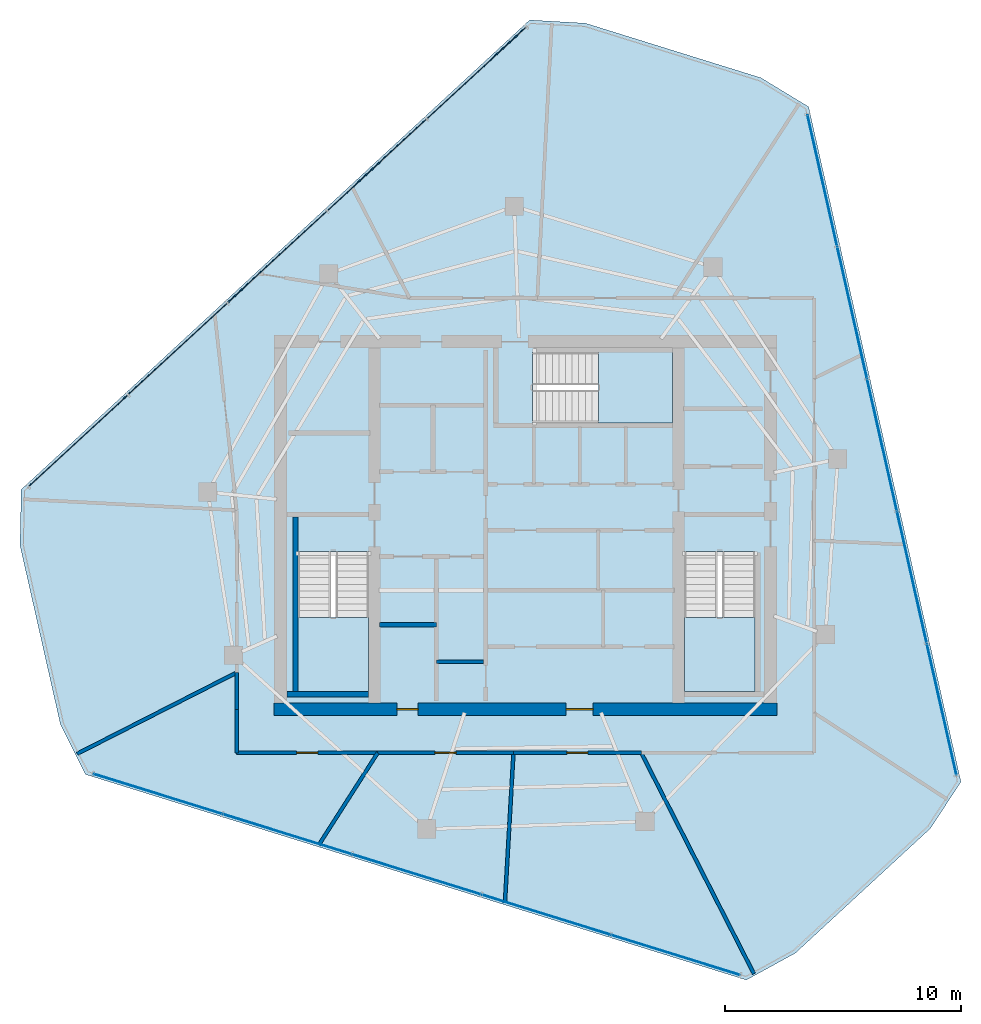
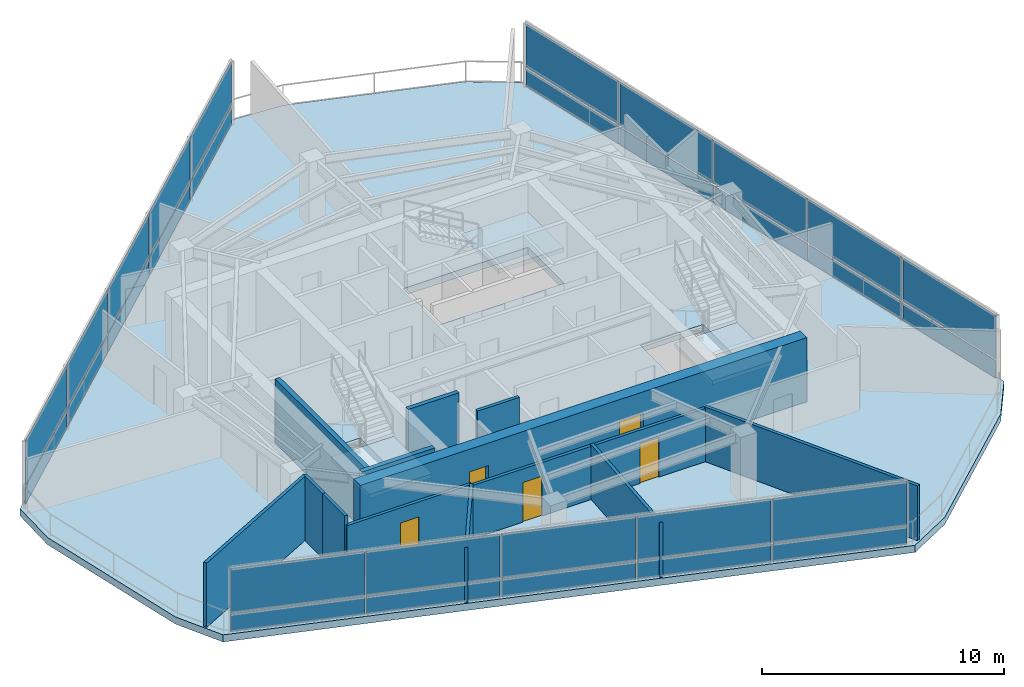
# One storey, part 13 of 19: 30 plates, 14 walls, 5 doors, 4 slabs, 5 openings, 6 elements without a shape of their own.
"""IFC4 building model written with IfcOpenShell, lengths in metres."""

import ifcopenshell
import ifcopenshell.guid

model = None  # the IFC model being written
_history = None  # IfcOwnerHistory: only IFC2X3 demands one
_inside = {}  # id of a spatial element -> (the spatial element, [elements in it])
_under = {}  # id of a project, library or spatial element -> (it, [spatial elements below it])
_declared = {}  # id of a project -> (the project, [libraries it declares])
_typed = {}  # id of a type object -> (the type object, [elements of that type])
_made_of = {}  # id of a material, layer set ... -> (it, [elements and type objects made of it])


def new_model(schema):
    """Start an empty IFC model of exactly this schema.

    Asked for "IFC4X3", IfcOpenShell would pick the latest addendum, in which some entities
    have other attributes; the version numbers below select the first issue.
    IFC2X3 requires an IfcOwnerHistory on every rooted entity: one is made here for all.
    """
    global model, _history
    if schema == "IFC4X3":
        model = ifcopenshell.file(schema_version=(4, 3, 0, 0))
    else:
        model = ifcopenshell.file(schema=schema)
    _inside.clear()
    _under.clear()
    _declared.clear()
    _typed.clear()
    _made_of.clear()
    _history = None
    if model.schema == "IFC2X3":
        org = make("IfcOrganization", Name="unknown")
        user = make(
            "IfcPersonAndOrganization",
            ThePerson=make("IfcPerson", FamilyName="unknown"),
            TheOrganization=org,
        )
        app = make(
            "IfcApplication",
            ApplicationDeveloper=org,
            Version="unknown",
            ApplicationFullName="unknown",
            ApplicationIdentifier="unknown",
        )
        _history = make(
            "IfcOwnerHistory",
            OwningUser=user,
            OwningApplication=app,
            ChangeAction="ADDED",
            CreationDate=0,
        )
    return model


def make(cls, **values):
    """One entity of the class cls with the attributes given. An attribute that is None is left unset."""
    return model.create_entity(
        cls, **{name: value for name, value in values.items() if value is not None}
    )


def rooted(cls, **values):
    """An entity with a GlobalId (a new one), such as an element, a storey or a relation."""
    return make(cls, GlobalId=ifcopenshell.guid.new(), OwnerHistory=_history, **values)


def si_unit(unit_type, name, prefix=None):
    """IfcSIUnit, for example si_unit("LENGTHUNIT", "METRE", prefix="MILLI")."""
    return make("IfcSIUnit", UnitType=unit_type, Prefix=prefix, Name=name)


def assignment(units):
    """IfcUnitAssignment: the units of a project."""
    return None if units is None else make("IfcUnitAssignment", Units=units)


def point(xyz):
    """IfcCartesianPoint."""
    return None if xyz is None else make("IfcCartesianPoint", Coordinates=xyz)


def direction(xyz):
    """IfcDirection."""
    return None if xyz is None else make("IfcDirection", DirectionRatios=xyz)


def frame(location, z_axis=None, x_axis=None):
    """IfcAxis2Placement3D, a coordinate frame: its origin and axes. An axis left out is left unset."""
    return make(
        "IfcAxis2Placement3D",
        Location=point(location),
        Axis=direction(z_axis),
        RefDirection=direction(x_axis),
    )


def frame_2d(location, x_axis=None):
    """IfcAxis2Placement2D, a coordinate frame in the plane: its origin and x axis."""
    return make(
        "IfcAxis2Placement2D", Location=point(location), RefDirection=direction(x_axis)
    )


def origin():
    """The frame at (0, 0, 0) with its axes left unset."""
    return frame((0.0, 0.0, 0.0))


def origin_2d():
    """The frame at (0, 0) in the plane with its x axis left unset."""
    return frame_2d((0.0, 0.0))


def place(relative_to, where):
    """IfcLocalPlacement: puts the frame where relative to a parent placement (None: the world)."""
    return make(
        "IfcLocalPlacement", PlacementRelTo=relative_to, RelativePlacement=where
    )


def context(
    kind, dimensions, precision=None, world=None, true_north=None, identifier=None
):
    """IfcGeometricRepresentationContext, for example the 3D "Model" context."""
    return make(
        "IfcGeometricRepresentationContext",
        ContextIdentifier=identifier,
        ContextType=kind,
        CoordinateSpaceDimension=dimensions,
        Precision=precision,
        WorldCoordinateSystem=world,
        TrueNorth=true_north,
    )


def subcontext(parent, identifier, kind, view, scale=None):
    """IfcGeometricRepresentationSubContext, for example "Body" below "Model"."""
    return make(
        "IfcGeometricRepresentationSubContext",
        ContextIdentifier=identifier,
        ContextType=kind,
        ParentContext=parent,
        TargetScale=scale,
        TargetView=view,
    )


def project(units=None, contexts=None):
    """IfcProject with its units and contexts."""
    return rooted(
        "IfcProject",
        Name="project",
        RepresentationContexts=contexts,
        UnitsInContext=assignment(units),
    )


def spatial(cls, under=None, at=None, **own):
    """A site, building, storey or space (cls), placed at a placement, below another one or the project."""
    s = rooted(cls, ObjectPlacement=at, **own)
    if under is not None:
        _under.setdefault(under.id(), (under, []))[1].append(s)
    return s


def polyline(points):
    """IfcPolyline through the points."""
    return make("IfcPolyline", Points=[point(p) for p in points])


def profile(cls, at=None, kind="AREA", **sizes):
    """A parametric profile (cls). Its sizes go by their IFC names, for example OverallWidth=200.0."""
    return make(cls, ProfileType=kind, Position=at, **sizes)


def rectangle(**sizes):
    """IfcRectangleProfileDef."""
    return profile("IfcRectangleProfileDef", **sizes)


def outline(outer, holes=None, kind="AREA"):
    """IfcArbitraryClosedProfileDef: a profile drawn as a closed curve; with holes, ...WithVoids."""
    if holes is None:
        return make("IfcArbitraryClosedProfileDef", ProfileType=kind, OuterCurve=outer)
    return make(
        "IfcArbitraryProfileDefWithVoids",
        ProfileType=kind,
        OuterCurve=outer,
        InnerCurves=holes,
    )


def extrude(swept, where, along, depth):
    """IfcExtrudedAreaSolid: the profile swept, set in the frame where, extruded along a direction by depth."""
    return make(
        "IfcExtrudedAreaSolid",
        SweptArea=swept,
        Position=where,
        ExtrudedDirection=direction(along),
        Depth=depth,
    )


def shape(context_of_items, identifier, shape_type, items):
    """IfcShapeRepresentation: the items that make up one representation, for example the "Body"."""
    return make(
        "IfcShapeRepresentation",
        ContextOfItems=context_of_items,
        RepresentationIdentifier=identifier,
        RepresentationType=shape_type,
        Items=items,
    )


def material(Name=None, Category=None):
    """IfcMaterial."""
    return make("IfcMaterial", Name=Name, Category=Category)


def layer(
    of_material, thickness, ventilated=None, Name=None, Category=None, Priority=None
):
    """IfcMaterialLayer: one layer of a wall or slab, of a material (None: an air gap)."""
    return make(
        "IfcMaterialLayer",
        Material=of_material,
        LayerThickness=thickness,
        IsVentilated=ventilated,
        Name=Name,
        Category=Category,
        Priority=Priority,
    )


def layer_set(layers, Name=None):
    """IfcMaterialLayerSet."""
    return make("IfcMaterialLayerSet", MaterialLayers=layers, LayerSetName=Name)


def made_of(thing, what):
    """Note that an element or type object is made of a material, layer set ...; save() writes the relation."""
    if what is not None:
        _made_of.setdefault(what.id(), (what, []))[1].append(thing)
    return thing


def type_object(cls, material=None, **own):
    """A type object (cls), such as IfcWallType, which elements share."""
    return made_of(rooted(cls, **own), material)


def element(
    cls,
    number,
    at=None,
    inside=None,
    cuts=None,
    type_object=None,
    material=None,
    context=None,
    identifier="Body",
    shape_type=None,
    held_by="IfcProductDefinitionShape",
    body=None,
    shapes=None,
    **own,
):
    """One element of the class cls, such as IfcWall. Its Tag is "e" and its number.

    at: its placement. inside: the storey or other place that contains it. cuts: it is an
    opening in that element (IfcRelVoidsElement). A single representation is given by context,
    identifier, shape_type and body (its items); several are given by shapes. held_by: the class
    of the entity that holds the representations. save() writes the other relations.
    """
    e = rooted(cls, Tag="e%d" % number, ObjectPlacement=at, **own)
    if body is not None:
        shapes = [shape(context, identifier, shape_type, body)]
    if shapes is not None:
        e.Representation = make(held_by, Representations=shapes)
    if inside is not None:
        _inside.setdefault(inside.id(), (inside, []))[1].append(e)
    if cuts is not None:
        rooted(
            "IfcRelVoidsElement", RelatingBuildingElement=cuts, RelatedOpeningElement=e
        )
    if type_object is not None:
        _typed.setdefault(type_object.id(), (type_object, []))[1].append(e)
    return made_of(e, material)


def fill(opening, filler):
    """IfcRelFillsElement: the door or window that sits in an opening."""
    return rooted(
        "IfcRelFillsElement",
        RelatingOpeningElement=opening,
        RelatedBuildingElement=filler,
    )


def aggregate(whole, parts):
    """IfcRelAggregates: a whole, such as a stair, and the parts it consists of."""
    return rooted("IfcRelAggregates", RelatingObject=whole, RelatedObjects=parts)


def save(model, path):
    """Write the relations noted so far, then the file.

    IfcRelAggregates (storeys below a building ...), IfcRelContainedInSpatialStructure (elements
    in a storey), IfcRelDefinesByType, IfcRelAssociatesMaterial and IfcRelDeclares: one each for
    every whole, place, type object, material and project.
    """
    for whole, parts in _under.values():
        aggregate(whole, parts)
    for where, things in _inside.values():
        rooted(
            "IfcRelContainedInSpatialStructure",
            RelatedElements=things,
            RelatingStructure=where,
        )
    for kind, things in _typed.values():
        rooted("IfcRelDefinesByType", RelatedObjects=things, RelatingType=kind)
    for what, things in _made_of.values():
        rooted("IfcRelAssociatesMaterial", RelatedObjects=things, RelatingMaterial=what)
    for by, libraries in _declared.values():
        rooted("IfcRelDeclares", RelatingContext=by, RelatedDefinitions=libraries)
    model.write(path)


model = new_model("IFC4")

# Units and contexts
model_context = context("Model", 3, precision=1e-05, world=origin(), true_north=direction((0.0, 1.0)))
body_context = subcontext(model_context, "Body", "Model", "MODEL_VIEW")
ifc_project = project(units=[si_unit("LENGTHUNIT", "METRE"), si_unit("AREAUNIT", "SQUARE_METRE"), si_unit("VOLUMEUNIT", "CUBIC_METRE"), si_unit("PLANEANGLEUNIT", "RADIAN"), si_unit("MASSUNIT", "GRAM", prefix="KILO")], contexts=[model_context])

# Site, building, storey
site_placement = place(None, origin())
site = spatial("IfcSite", under=ifc_project, at=site_placement, CompositionType="ELEMENT")
building_placement = place(site_placement, origin())
building = spatial("IfcBuilding", under=site, at=building_placement, Name="Qarnah Convention Tower", CompositionType="ELEMENT")
storey_placement = place(building_placement, frame((0.0, 0.0, 228.300048828125)))
storey = spatial("IfcBuildingStorey", under=building, at=storey_placement, Name="L61", CompositionType="ELEMENT", Elevation=228.300048828125)

# Curtain wall, plates
ifc_material_1 = material(Name="Tempered Low-E dark glass", Category="glass")
ifc_layer_1 = layer(ifc_material_1, 0.176025390625)
ifc_layer_set_1 = layer_set([ifc_layer_1], Name="Tempered Low-E dark glass")
curtain_wall_type = type_object("IfcCurtainWallType", Name="CWS-05", PredefinedType="NOTDEFINED", material=ifc_layer_set_1)
curtain_wall_1_placement = place(storey_placement, origin())
curtain_wall_1 = element("IfcCurtainWall", 1, at=curtain_wall_1_placement, inside=storey, type_object=curtain_wall_type, Name="L61 unitised curtain wall CW-L61-F1", PredefinedType="NOTDEFINED")
ifc_layer_2 = layer(ifc_material_1, 0.035888671875)
ifc_layer_set_2 = layer_set([ifc_layer_2], Name="Tempered Low-E dark glass")
plate_type = type_object("IfcPlateType", Name="PNL-T5", PredefinedType="CURTAIN_PANEL", material=ifc_layer_set_2)
plate_1_placement = place(storey_placement, frame((18.22412109375, 29.990478515625, 0.039794921875), z_axis=(0.0, 0.0, 1.0), x_axis=(0.734656810589, 0.678438921831, 0.0)))
plate_1 = element("IfcPlate", 2, at=plate_1_placement, type_object=plate_type, Name="CW-L61-F1 curtain panel 1.1", PredefinedType="CURTAIN_PANEL", context=body_context, shape_type="SweptSolid", body=[
    extrude(rectangle(XDim=5.672607421875, YDim=0.035888671875, at=origin_2d()), origin(), (0.0, 0.0, 1.0), 0.8701171875),
])
plate_2_placement = place(storey_placement, frame((18.22412109375, 29.990478515625, 0.989990234375), z_axis=(0.0, 0.0, 1.0), x_axis=(0.734656810589, 0.678438921831, 0.0)))
plate_2 = element("IfcPlate", 3, at=plate_2_placement, type_object=plate_type, Name="CW-L61-F1 curtain panel 1.2", PredefinedType="CURTAIN_PANEL", context=body_context, shape_type="SweptSolid", body=[
    extrude(rectangle(XDim=5.672607421875, YDim=0.035888671875, at=origin_2d()), origin(), (0.0, 0.0, 1.0), 2.2099609375),
])
plate_3_placement = place(storey_placement, frame((22.4501953125, 33.893310546875, 0.039794921875), z_axis=(0.0, 0.0, 1.0), x_axis=(0.734656810589, 0.678438921831, 0.0)))
plate_3 = element("IfcPlate", 4, at=plate_3_placement, type_object=plate_type, Name="CW-L61-F1 curtain panel 2.1", PredefinedType="CURTAIN_PANEL", context=body_context, shape_type="SweptSolid", body=[
    extrude(rectangle(XDim=5.672607421875, YDim=0.035888671875, at=origin_2d()), origin(), (0.0, 0.0, 1.0), 0.8701171875),
])
plate_4_placement = place(storey_placement, frame((22.4501953125, 33.893310546875, 0.989990234375), z_axis=(0.0, 0.0, 1.0), x_axis=(0.734656810589, 0.678438921831, 0.0)))
plate_4 = element("IfcPlate", 5, at=plate_4_placement, type_object=plate_type, Name="CW-L61-F1 curtain panel 2.2", PredefinedType="CURTAIN_PANEL", context=body_context, shape_type="SweptSolid", body=[
    extrude(rectangle(XDim=5.672607421875, YDim=0.035888671875, at=origin_2d()), origin(), (0.0, 0.0, 1.0), 2.2099609375),
])
plate_5_placement = place(storey_placement, frame((26.676513671875, 37.7958984375, 0.039794921875), z_axis=(0.0, 0.0, 1.0), x_axis=(0.734656810589, 0.678438921831, 0.0)))
plate_5 = element("IfcPlate", 6, at=plate_5_placement, type_object=plate_type, Name="CW-L61-F1 curtain panel 3.1", PredefinedType="CURTAIN_PANEL", context=body_context, shape_type="SweptSolid", body=[
    extrude(rectangle(XDim=5.672607421875, YDim=0.035888671875, at=origin_2d()), origin(), (0.0, 0.0, 1.0), 0.8701171875),
])
plate_6_placement = place(storey_placement, frame((26.676513671875, 37.7958984375, 0.989990234375), z_axis=(0.0, 0.0, 1.0), x_axis=(0.734656810589, 0.678438921831, 0.0)))
plate_6 = element("IfcPlate", 7, at=plate_6_placement, type_object=plate_type, Name="CW-L61-F1 curtain panel 3.2", PredefinedType="CURTAIN_PANEL", context=body_context, shape_type="SweptSolid", body=[
    extrude(rectangle(XDim=5.672607421875, YDim=0.035888671875, at=origin_2d()), origin(), (0.0, 0.0, 1.0), 2.2099609375),
])
plate_7_placement = place(storey_placement, frame((30.902587890625, 41.69873046875, 0.039794921875), z_axis=(0.0, 0.0, 1.0), x_axis=(0.734656810589, 0.678438921831, 0.0)))
plate_7 = element("IfcPlate", 8, at=plate_7_placement, type_object=plate_type, Name="CW-L61-F1 curtain panel 4.1", PredefinedType="CURTAIN_PANEL", context=body_context, shape_type="SweptSolid", body=[
    extrude(rectangle(XDim=5.672607421875, YDim=0.035888671875, at=origin_2d()), origin(), (0.0, 0.0, 1.0), 0.8701171875),
])
plate_8_placement = place(storey_placement, frame((30.902587890625, 41.69873046875, 0.989990234375), z_axis=(0.0, 0.0, 1.0), x_axis=(0.734656810589, 0.678438921831, 0.0)))
plate_8 = element("IfcPlate", 9, at=plate_8_placement, type_object=plate_type, Name="CW-L61-F1 curtain panel 4.2", PredefinedType="CURTAIN_PANEL", context=body_context, shape_type="SweptSolid", body=[
    extrude(rectangle(XDim=5.672607421875, YDim=0.035888671875, at=origin_2d()), origin(), (0.0, 0.0, 1.0), 2.2099609375),
])
plate_9_placement = place(storey_placement, frame((35.12890625, 45.6015625, 0.039794921875), z_axis=(0.0, 0.0, 1.0), x_axis=(0.734656810589, 0.678438921831, 0.0)))
plate_9 = element("IfcPlate", 10, at=plate_9_placement, type_object=plate_type, Name="CW-L61-F1 curtain panel 5.1", PredefinedType="CURTAIN_PANEL", context=body_context, shape_type="SweptSolid", body=[
    extrude(rectangle(XDim=5.672607421875, YDim=0.035888671875, at=origin_2d()), origin(), (0.0, 0.0, 1.0), 0.8701171875),
])
plate_10_placement = place(storey_placement, frame((35.12890625, 45.6015625, 0.989990234375), z_axis=(0.0, 0.0, 1.0), x_axis=(0.734656810589, 0.678438921831, 0.0)))
plate_10 = element("IfcPlate", 11, at=plate_10_placement, type_object=plate_type, Name="CW-L61-F1 curtain panel 5.2", PredefinedType="CURTAIN_PANEL", context=body_context, shape_type="SweptSolid", body=[
    extrude(rectangle(XDim=5.672607421875, YDim=0.035888671875, at=origin_2d()), origin(), (0.0, 0.0, 1.0), 2.2099609375),
])
aggregate(curtain_wall_1, [plate_1, plate_2, plate_3, plate_4, plate_5, plate_6, plate_7, plate_8, plate_9, plate_10])

curtain_wall_2_placement = place(storey_placement, origin())
curtain_wall_2 = element("IfcCurtainWall", 12, at=curtain_wall_2_placement, inside=storey, type_object=curtain_wall_type, Name="L61 unitised curtain wall CW-L61-F2", PredefinedType="NOTDEFINED")
plate_11_placement = place(storey_placement, frame((49.79833984375, 41.038330078125, 0.039794921875), z_axis=(0.0, 0.0, 1.0), x_axis=(0.220179770562, -0.975459311625, 0.0)))
plate_11 = element("IfcPlate", 13, at=plate_11_placement, type_object=plate_type, Name="CW-L61-F2 curtain panel 1.1", PredefinedType="CURTAIN_PANEL", context=body_context, shape_type="SweptSolid", body=[
    extrude(rectangle(XDim=5.672607421875, YDim=0.035888671875, at=origin_2d()), origin(), (0.0, 0.0, 1.0), 0.8701171875),
])
plate_12_placement = place(storey_placement, frame((49.79833984375, 41.038330078125, 0.989990234375), z_axis=(0.0, 0.0, 1.0), x_axis=(0.220179770562, -0.975459311625, 0.0)))
plate_12 = element("IfcPlate", 14, at=plate_12_placement, type_object=plate_type, Name="CW-L61-F2 curtain panel 1.2", PredefinedType="CURTAIN_PANEL", context=body_context, shape_type="SweptSolid", body=[
    extrude(rectangle(XDim=5.672607421875, YDim=0.035888671875, at=origin_2d()), origin(), (0.0, 0.0, 1.0), 2.2099609375),
])
plate_13_placement = place(storey_placement, frame((51.06494140625, 35.427001953125, 0.039794921875), z_axis=(0.0, 0.0, 1.0), x_axis=(0.220179770562, -0.975459311625, 0.0)))
plate_13 = element("IfcPlate", 15, at=plate_13_placement, type_object=plate_type, Name="CW-L61-F2 curtain panel 2.1", PredefinedType="CURTAIN_PANEL", context=body_context, shape_type="SweptSolid", body=[
    extrude(rectangle(XDim=5.672607421875, YDim=0.035888671875, at=origin_2d()), origin(), (0.0, 0.0, 1.0), 0.8701171875),
])
plate_14_placement = place(storey_placement, frame((51.06494140625, 35.427001953125, 0.989990234375), z_axis=(0.0, 0.0, 1.0), x_axis=(0.220179770562, -0.975459311625, 0.0)))
plate_14 = element("IfcPlate", 16, at=plate_14_placement, type_object=plate_type, Name="CW-L61-F2 curtain panel 2.2", PredefinedType="CURTAIN_PANEL", context=body_context, shape_type="SweptSolid", body=[
    extrude(rectangle(XDim=5.672607421875, YDim=0.035888671875, at=origin_2d()), origin(), (0.0, 0.0, 1.0), 2.2099609375),
])
plate_15_placement = place(storey_placement, frame((52.33154296875, 29.8154296875, 0.039794921875), z_axis=(0.0, 0.0, 1.0), x_axis=(0.220179770562, -0.975459311625, 0.0)))
plate_15 = element("IfcPlate", 17, at=plate_15_placement, type_object=plate_type, Name="CW-L61-F2 curtain panel 3.1", PredefinedType="CURTAIN_PANEL", context=body_context, shape_type="SweptSolid", body=[
    extrude(rectangle(XDim=5.672607421875, YDim=0.035888671875, at=origin_2d()), origin(), (0.0, 0.0, 1.0), 0.8701171875),
])
plate_16_placement = place(storey_placement, frame((52.33154296875, 29.8154296875, 0.989990234375), z_axis=(0.0, 0.0, 1.0), x_axis=(0.220179770562, -0.975459311625, 0.0)))
plate_16 = element("IfcPlate", 18, at=plate_16_placement, type_object=plate_type, Name="CW-L61-F2 curtain panel 3.2", PredefinedType="CURTAIN_PANEL", context=body_context, shape_type="SweptSolid", body=[
    extrude(rectangle(XDim=5.672607421875, YDim=0.035888671875, at=origin_2d()), origin(), (0.0, 0.0, 1.0), 2.2099609375),
])
plate_17_placement = place(storey_placement, frame((53.59814453125, 24.2041015625, 0.039794921875), z_axis=(0.0, 0.0, 1.0), x_axis=(0.220179770562, -0.975459311625, 0.0)))
plate_17 = element("IfcPlate", 19, at=plate_17_placement, type_object=plate_type, Name="CW-L61-F2 curtain panel 4.1", PredefinedType="CURTAIN_PANEL", context=body_context, shape_type="SweptSolid", body=[
    extrude(rectangle(XDim=5.672607421875, YDim=0.035888671875, at=origin_2d()), origin(), (0.0, 0.0, 1.0), 0.8701171875),
])
plate_18_placement = place(storey_placement, frame((53.59814453125, 24.2041015625, 0.989990234375), z_axis=(0.0, 0.0, 1.0), x_axis=(0.220179770562, -0.975459311625, 0.0)))
plate_18 = element("IfcPlate", 20, at=plate_18_placement, type_object=plate_type, Name="CW-L61-F2 curtain panel 4.2", PredefinedType="CURTAIN_PANEL", context=body_context, shape_type="SweptSolid", body=[
    extrude(rectangle(XDim=5.672607421875, YDim=0.035888671875, at=origin_2d()), origin(), (0.0, 0.0, 1.0), 2.2099609375),
])
plate_19_placement = place(storey_placement, frame((54.86474609375, 18.5927734375, 0.039794921875), z_axis=(0.0, 0.0, 1.0), x_axis=(0.220179770562, -0.975459311625, 0.0)))
plate_19 = element("IfcPlate", 21, at=plate_19_placement, type_object=plate_type, Name="CW-L61-F2 curtain panel 5.1", PredefinedType="CURTAIN_PANEL", context=body_context, shape_type="SweptSolid", body=[
    extrude(rectangle(XDim=5.672607421875, YDim=0.035888671875, at=origin_2d()), origin(), (0.0, 0.0, 1.0), 0.8701171875),
])
plate_20_placement = place(storey_placement, frame((54.86474609375, 18.5927734375, 0.989990234375), z_axis=(0.0, 0.0, 1.0), x_axis=(0.220179770562, -0.975459311625, 0.0)))
plate_20 = element("IfcPlate", 22, at=plate_20_placement, type_object=plate_type, Name="CW-L61-F2 curtain panel 5.2", PredefinedType="CURTAIN_PANEL", context=body_context, shape_type="SweptSolid", body=[
    extrude(rectangle(XDim=5.672607421875, YDim=0.035888671875, at=origin_2d()), origin(), (0.0, 0.0, 1.0), 2.2099609375),
])
aggregate(curtain_wall_2, [plate_11, plate_12, plate_13, plate_14, plate_15, plate_16, plate_17, plate_18, plate_19, plate_20])

curtain_wall_3_placement = place(storey_placement, origin())
curtain_wall_3 = element("IfcCurtainWall", 23, at=curtain_wall_3_placement, inside=storey, type_object=curtain_wall_type, Name="L61 unitised curtain wall CW-L61-F3", PredefinedType="NOTDEFINED")
plate_21_placement = place(storey_placement, frame((43.57763671875, 8.17041015625, 0.039794921875), z_axis=(0.0, 0.0, 1.0), x_axis=(-0.954870143679, 0.297023582752, 0.0)))
plate_21 = element("IfcPlate", 24, at=plate_21_placement, type_object=plate_type, Name="CW-L61-F3 curtain panel 1.1", PredefinedType="CURTAIN_PANEL", context=body_context, shape_type="SweptSolid", body=[
    extrude(rectangle(XDim=5.67236328125, YDim=0.035888671875, at=origin_2d()), origin(), (0.0, 0.0, 1.0), 0.8701171875),
])
plate_22_placement = place(storey_placement, frame((43.57763671875, 8.17041015625, 0.989990234375), z_axis=(0.0, 0.0, 1.0), x_axis=(-0.954870143679, 0.297023582752, 0.0)))
plate_22 = element("IfcPlate", 25, at=plate_22_placement, type_object=plate_type, Name="CW-L61-F3 curtain panel 1.2", PredefinedType="CURTAIN_PANEL", context=body_context, shape_type="SweptSolid", body=[
    extrude(rectangle(XDim=5.67236328125, YDim=0.035888671875, at=origin_2d()), origin(), (0.0, 0.0, 1.0), 2.2099609375),
])
plate_23_placement = place(storey_placement, frame((38.084716796875, 9.87890625, 0.039794921875), z_axis=(0.0, 0.0, 1.0), x_axis=(-0.954870143679, 0.297023582752, 0.0)))
plate_23 = element("IfcPlate", 26, at=plate_23_placement, type_object=plate_type, Name="CW-L61-F3 curtain panel 2.1", PredefinedType="CURTAIN_PANEL", context=body_context, shape_type="SweptSolid", body=[
    extrude(rectangle(XDim=5.67236328125, YDim=0.035888671875, at=origin_2d()), origin(), (0.0, 0.0, 1.0), 0.8701171875),
])
plate_24_placement = place(storey_placement, frame((38.084716796875, 9.87890625, 0.989990234375), z_axis=(0.0, 0.0, 1.0), x_axis=(-0.954870143679, 0.297023582752, 0.0)))
plate_24 = element("IfcPlate", 27, at=plate_24_placement, type_object=plate_type, Name="CW-L61-F3 curtain panel 2.2", PredefinedType="CURTAIN_PANEL", context=body_context, shape_type="SweptSolid", body=[
    extrude(rectangle(XDim=5.67236328125, YDim=0.035888671875, at=origin_2d()), origin(), (0.0, 0.0, 1.0), 2.2099609375),
])
plate_25_placement = place(storey_placement, frame((32.592041015625, 11.58740234375, 0.039794921875), z_axis=(0.0, 0.0, 1.0), x_axis=(-0.954870143679, 0.297023582752, 0.0)))
plate_25 = element("IfcPlate", 28, at=plate_25_placement, type_object=plate_type, Name="CW-L61-F3 curtain panel 3.1", PredefinedType="CURTAIN_PANEL", context=body_context, shape_type="SweptSolid", body=[
    extrude(rectangle(XDim=5.67236328125, YDim=0.035888671875, at=origin_2d()), origin(), (0.0, 0.0, 1.0), 0.8701171875),
])
plate_26_placement = place(storey_placement, frame((32.592041015625, 11.58740234375, 0.989990234375), z_axis=(0.0, 0.0, 1.0), x_axis=(-0.954870143679, 0.297023582752, 0.0)))
plate_26 = element("IfcPlate", 29, at=plate_26_placement, type_object=plate_type, Name="CW-L61-F3 curtain panel 3.2", PredefinedType="CURTAIN_PANEL", context=body_context, shape_type="SweptSolid", body=[
    extrude(rectangle(XDim=5.67236328125, YDim=0.035888671875, at=origin_2d()), origin(), (0.0, 0.0, 1.0), 2.2099609375),
])
plate_27_placement = place(storey_placement, frame((27.09912109375, 13.296142578125, 0.039794921875), z_axis=(0.0, 0.0, 1.0), x_axis=(-0.954870143679, 0.297023582752, 0.0)))
plate_27 = element("IfcPlate", 30, at=plate_27_placement, type_object=plate_type, Name="CW-L61-F3 curtain panel 4.1", PredefinedType="CURTAIN_PANEL", context=body_context, shape_type="SweptSolid", body=[
    extrude(rectangle(XDim=5.67236328125, YDim=0.035888671875, at=origin_2d()), origin(), (0.0, 0.0, 1.0), 0.8701171875),
])
plate_28_placement = place(storey_placement, frame((27.09912109375, 13.296142578125, 0.989990234375), z_axis=(0.0, 0.0, 1.0), x_axis=(-0.954870143679, 0.297023582752, 0.0)))
plate_28 = element("IfcPlate", 31, at=plate_28_placement, type_object=plate_type, Name="CW-L61-F3 curtain panel 4.2", PredefinedType="CURTAIN_PANEL", context=body_context, shape_type="SweptSolid", body=[
    extrude(rectangle(XDim=5.67236328125, YDim=0.035888671875, at=origin_2d()), origin(), (0.0, 0.0, 1.0), 2.2099609375),
])
plate_29_placement = place(storey_placement, frame((21.6064453125, 15.004638671875, 0.039794921875), z_axis=(0.0, 0.0, 1.0), x_axis=(-0.954870143679, 0.297023582752, 0.0)))
plate_29 = element("IfcPlate", 32, at=plate_29_placement, type_object=plate_type, Name="CW-L61-F3 curtain panel 5.1", PredefinedType="CURTAIN_PANEL", context=body_context, shape_type="SweptSolid", body=[
    extrude(rectangle(XDim=5.67236328125, YDim=0.035888671875, at=origin_2d()), origin(), (0.0, 0.0, 1.0), 0.8701171875),
])
plate_30_placement = place(storey_placement, frame((21.6064453125, 15.004638671875, 0.989990234375), z_axis=(0.0, 0.0, 1.0), x_axis=(-0.954870143679, 0.297023582752, 0.0)))
plate_30 = element("IfcPlate", 33, at=plate_30_placement, type_object=plate_type, Name="CW-L61-F3 curtain panel 5.2", PredefinedType="CURTAIN_PANEL", context=body_context, shape_type="SweptSolid", body=[
    extrude(rectangle(XDim=5.67236328125, YDim=0.035888671875, at=origin_2d()), origin(), (0.0, 0.0, 1.0), 2.2099609375),
])
aggregate(curtain_wall_3, [plate_21, plate_22, plate_23, plate_24, plate_25, plate_26, plate_27, plate_28, plate_29, plate_30])

# Stair, slab
ifc_material_2 = material(Name="Concrete C50/60", Category="concrete")
stair_type = type_object("IfcStairType", Name="STR-OFF", PredefinedType="HALF_TURN_STAIR", material=ifc_material_2)
stair_1_placement = place(storey_placement, origin())
stair_1 = element("IfcStair", 34, at=stair_1_placement, inside=storey, type_object=stair_type, Name="L61 Core exit stair ST-1", PredefinedType="HALF_TURN_STAIR")
ifc_layer_3 = layer(ifc_material_2, 0.199951171875)
ifc_layer_set_3 = layer_set([ifc_layer_3], Name="Concrete C50/60")
slab_type_1 = type_object("IfcSlabType", Name="SLB-LANDING-200", PredefinedType="LANDING", material=ifc_layer_set_3)
slab_1_placement = place(storey_placement, frame((0.0, 0.0, 1.599853515625)))
slab_1 = element("IfcSlab", 35, at=slab_1_placement, type_object=slab_type_1, Name="ST-1 landing 1", PredefinedType="LANDING", context=body_context, shape_type="SweptSolid", body=[
    extrude(outline(polyline([(27.550048828125, 22.5), (27.550048828125, 19.35009765625), (30.550048828125, 19.35009765625), (30.550048828125, 22.5), (27.550048828125, 22.5)])), origin(), (0.0, 0.0, 1.0), 0.2001953125),
])
aggregate(stair_1, [slab_1])

stair_2_placement = place(storey_placement, origin())
stair_2 = element("IfcStair", 36, at=stair_2_placement, inside=storey, type_object=stair_type, Name="L61 Core exit stair ST-2", PredefinedType="HALF_TURN_STAIR")
slab_2_placement = place(storey_placement, frame((0.0, 0.0, 1.599853515625)))
slab_2 = element("IfcSlab", 37, at=slab_2_placement, type_object=slab_type_1, Name="ST-2 landing 1", PredefinedType="LANDING", context=body_context, shape_type="SweptSolid", body=[
    extrude(outline(polyline([(43.949951171875, 22.5), (43.949951171875, 19.35009765625), (46.949951171875, 19.35009765625), (46.949951171875, 22.5), (43.949951171875, 22.5)])), origin(), (0.0, 0.0, 1.0), 0.2001953125),
])
aggregate(stair_2, [slab_2])

stair_3_placement = place(storey_placement, origin())
stair_3 = element("IfcStair", 38, at=stair_3_placement, inside=storey, type_object=stair_type, Name="L61 Core exit stair ST-3", PredefinedType="HALF_TURN_STAIR")
slab_3_placement = place(storey_placement, frame((0.0, 0.0, 1.599853515625)))
slab_3 = element("IfcSlab", 39, at=slab_3_placement, type_object=slab_type_1, Name="ST-3 landing 1", PredefinedType="LANDING", context=body_context, shape_type="SweptSolid", body=[
    extrude(outline(polyline([(40.300048828125, 30.75), (43.449951171875, 30.75), (43.449951171875, 33.75), (40.300048828125, 33.75), (40.300048828125, 30.75)])), origin(), (0.0, 0.0, 1.0), 0.2001953125),
])
aggregate(stair_3, [slab_3])

# Slab
ifc_layer_4 = layer(ifc_material_2, 0.360107421875)
ifc_layer_set_4 = layer_set([ifc_layer_4], Name="Concrete C50/60")
slab_type_2 = type_object("IfcSlabType", Name="SLB-PLT-360", PredefinedType="FLOOR", material=ifc_layer_set_4)
slab_4_placement = place(storey_placement, frame((0.0, 0.0, -0.360107421875)))
element("IfcSlab", 40, at=slab_4_placement, inside=storey, type_object=slab_type_2, Name="L61 structural floor slab", PredefinedType="FLOOR", context=body_context, shape_type="SweptSolid", body=[
    extrude(outline(polyline([(37.381103515625, 47.844970703125), (15.80908203125, 27.924072265625), (15.756103515625, 25.556884765625), (17.472900390625, 17.948974609375), (18.5380859375, 15.833984375), (46.574951171875, 7.112060546875), (48.652099609375, 8.25), (54.382080078125, 13.541015625), (55.680908203125, 15.52099609375), (49.216064453125, 44.1630859375), (47.19189453125, 45.39306640625), (39.7451171875, 47.708984375), (37.381103515625, 47.844970703125)]), holes=[polyline([(27.550048828125, 25.300048828125), (27.550048828125, 19.35009765625), (30.550048828125, 19.35009765625), (30.550048828125, 25.300048828125), (27.550048828125, 25.300048828125)]), polyline([(43.949951171875, 25.300048828125), (43.949951171875, 19.35009765625), (46.949951171875, 19.35009765625), (46.949951171875, 25.300048828125), (43.949951171875, 25.300048828125)]), polyline([(37.5, 30.75), (43.449951171875, 30.75), (43.449951171875, 33.75), (37.5, 33.75), (37.5, 30.75)])]), origin(), (0.0, 0.0, 1.0), 0.360107421875),
])

# Wall, openings, doors
ifc_material_3 = material(Name="Concrete C60/75", Category="concrete")
ifc_layer_5 = layer(ifc_material_3, 0.550048828125)
ifc_layer_set_5 = layer_set([ifc_layer_5], Name="Concrete C60/75")
wall_type_1 = type_object("IfcWallType", Name="WL-CORE-550", PredefinedType="SHEAR", material=ifc_layer_set_5)
wall_1_placement = place(storey_placement, frame((26.52490234375, 18.60009765625, 0.0), z_axis=(0.0, 0.0, 1.0), x_axis=(1.0, 0.0, 0.0)))
wall_1 = element("IfcWall", 41, at=wall_1_placement, inside=storey, type_object=wall_type_1, Name="L61 core south shear wall", PredefinedType="SHEAR", context=body_context, shape_type="SweptSolid", body=[
    extrude(rectangle(XDim=21.35009765625, YDim=0.550048828125, at=frame_2d((10.675048828125, 0.0))), origin(), (0.0, 0.0, 1.0), 3.239990234375),
])
opening_1_placement = place(wall_1_placement, frame((12.39990234375, 0.0, 0.0)))
opening_1 = element("IfcOpeningElement", 42, at=opening_1_placement, cuts=wall_1, Name="Opening D-6107", PredefinedType="OPENING", context=body_context, shape_type="SweptSolid", body=[
    extrude(rectangle(XDim=1.14990234375, YDim=2.14990234375, at=frame_2d((0.574951171875, 1.074951171875))), frame((0.0, 0.284912109375, 0.0), z_axis=(0.0, -1.0, 0.0), x_axis=(1.0, 0.0, 0.0)), (0.0, 0.0, 1.0), 0.570068359375),
])
opening_2_placement = place(wall_1_placement, frame((5.22509765625, 0.0, 0.0)))
opening_2 = element("IfcOpeningElement", 43, at=opening_2_placement, cuts=wall_1, Name="Opening D-6113", PredefinedType="OPENING", context=body_context, shape_type="SweptSolid", body=[
    extrude(rectangle(XDim=0.89990234375, YDim=2.10009765625, at=frame_2d((0.449951171875, 1.050048828125))), frame((0.0, 0.284912109375, 0.0), z_axis=(0.0, -1.0, 0.0), x_axis=(1.0, 0.0, 0.0)), (0.0, 0.0, 1.0), 0.570068359375),
])
ifc_material_4 = material(Name="Structural steel S355JR", Category="steel")
door_type_1 = type_object("IfcDoorType", Name="DT-LOBBY-1150", OperationType="NOTDEFINED", PredefinedType="DOOR", material=ifc_material_4)
door_1_placement = place(opening_1_placement, origin())
door_1 = element("IfcDoor", 44, at=door_1_placement, inside=storey, type_object=door_type_1, Name="Door D-6107", OperationType="SINGLE_SWING_RIGHT", OverallHeight=2.14990234375, OverallWidth=1.14990234375, PredefinedType="DOOR", context=body_context, shape_type="SweptSolid", body=[
    extrude(rectangle(XDim=1.14990234375, YDim=2.14990234375, at=frame_2d((0.574951171875, 1.074951171875))), frame((0.0, 0.02490234375, 0.0), z_axis=(0.0, -1.0, 0.0), x_axis=(1.0, 0.0, 0.0)), (0.0, 0.0, 1.0), 0.050048828125),
])
fill(opening_1, door_1)
door_type_2 = type_object("IfcDoorType", Name="DT-RISER-900", OperationType="NOTDEFINED", PredefinedType="DOOR", material=ifc_material_4)
door_2_placement = place(opening_2_placement, origin())
door_2 = element("IfcDoor", 45, at=door_2_placement, inside=storey, type_object=door_type_2, Name="Door D-6113", OperationType="SINGLE_SWING_RIGHT", OverallHeight=2.10009765625, OverallWidth=0.89990234375, PredefinedType="DOOR", context=body_context, shape_type="SweptSolid", body=[
    extrude(rectangle(XDim=0.89990234375, YDim=2.10009765625, at=frame_2d((0.449951171875, 1.050048828125))), frame((0.0, 0.02490234375, 0.0), z_axis=(0.0, -1.0, 0.0), x_axis=(1.0, 0.0, 0.0)), (0.0, 0.0, 1.0), 0.050048828125),
])
fill(opening_2, door_2)

# Walls
ifc_material_5 = material(Name="Concrete C45/55", Category="concrete")
ifc_layer_6 = layer(ifc_material_5, 0.199951171875)
ifc_layer_set_6 = layer_set([ifc_layer_6], Name="Concrete C45/55")
wall_type_2 = type_object("IfcWallType", Name="WL-CORE-PART-200", PredefinedType="SOLIDWALL", material=ifc_layer_set_6)
wall_2_placement = place(storey_placement, frame((31.0, 22.179931640625, 0.0), z_axis=(0.0, 0.0, 1.0), x_axis=(1.0, 0.0, 0.0)))
element("IfcWall", 46, at=wall_2_placement, inside=storey, type_object=wall_type_2, Name="L61 interior wall IW-L61-SVLS", PredefinedType="SOLIDWALL", context=body_context, shape_type="SweptSolid", body=[
    extrude(rectangle(XDim=2.419921875, YDim=0.199951171875, at=frame_2d((1.2099609375, 0.0))), origin(), (0.0, 0.0, 1.0), 3.239990234375),
])
ifc_layer_7 = layer(ifc_material_3, 0.219970703125)
ifc_layer_set_7 = layer_set([ifc_layer_7], Name="Concrete C60/75")
wall_type_3 = type_object("IfcWallType", Name="WL-CORE-STAIR-220", PredefinedType="SHEAR", material=ifc_layer_set_7)
wall_3_placement = place(storey_placement, frame((27.43994140625, 19.35009765625, 0.0), z_axis=(0.0, 0.0, 1.0), x_axis=(0.0, 1.0, 0.0)))
element("IfcWall", 47, at=wall_3_placement, inside=storey, type_object=wall_type_3, Name="L61 stair shaft shear wall SW-L61-ST1W", PredefinedType="SHEAR", context=body_context, shape_type="SweptSolid", body=[
    extrude(rectangle(XDim=7.39990234375, YDim=0.219970703125, at=frame_2d((3.699951171875, 0.0))), origin(), (0.0, 0.0, 1.0), 3.239990234375),
])
wall_4_placement = place(storey_placement, frame((27.074951171875, 19.239990234375, 0.0), z_axis=(0.0, 0.0, 1.0), x_axis=(1.0, 0.0, 0.0)))
element("IfcWall", 48, at=wall_4_placement, inside=storey, type_object=wall_type_3, Name="L61 stair shaft shear wall SW-L61-ST1S", PredefinedType="SHEAR", context=body_context, shape_type="SweptSolid", body=[
    extrude(rectangle(XDim=3.47509765625, YDim=0.219970703125, at=frame_2d((1.737548828125, 0.0))), origin(), (0.0, 0.0, 1.0), 3.239990234375),
])
ifc_material_6 = material(Name="Gypsum partition board")
ifc_layer_8 = layer(ifc_material_6, 0.14990234375)
ifc_layer_set_8 = layer_set([ifc_layer_8], Name="Gypsum partition board")
wall_type_4 = type_object("IfcWallType", Name="WL-SUITE-150", PredefinedType="PARTITIONING", material=ifc_layer_set_8)
wall_5_placement = place(storey_placement, frame((33.419921875, 20.6201171875, 0.0), z_axis=(0.0, 0.0, 1.0), x_axis=(1.0, 0.0, 0.0)))
element("IfcWall", 49, at=wall_5_placement, inside=storey, type_object=wall_type_4, Name="L61 interior wall IW-L61-CSV1", PredefinedType="PARTITIONING", context=body_context, shape_type="SweptSolid", body=[
    extrude(rectangle(XDim=2.0, YDim=0.14990234375, at=frame_2d((1.0, 0.0))), origin(), (0.0, 0.0, 1.0), 3.239990234375),
])
wall_6_placement = place(storey_placement, frame((18.18505859375, 16.7119140625, 0.0), z_axis=(0.0, 0.0, 1.0), x_axis=(0.891051276118, 0.453902658429, 0.0)))
element("IfcWall", 50, at=wall_6_placement, inside=storey, type_object=wall_type_4, Name="L61 interior wall IW-L61-R-09", PredefinedType="PARTITIONING", context=body_context, shape_type="SweptSolid", body=[
    extrude(rectangle(XDim=7.592041015625, YDim=0.14990234375, at=frame_2d((3.7958984375, 0.0))), origin(), (0.0, 0.0, 1.0), 3.239990234375),
])
wall_7_placement = place(storey_placement, frame((28.430908203125, 12.8369140625, 0.0), z_axis=(0.0, 0.0, 1.0), x_axis=(0.53872103206, 0.842484213274, 0.0)))
element("IfcWall", 51, at=wall_7_placement, inside=storey, type_object=wall_type_4, Name="L61 interior wall IW-L61-R-11", PredefinedType="PARTITIONING", context=body_context, shape_type="SweptSolid", body=[
    extrude(rectangle(XDim=4.644775390625, YDim=0.14990234375, at=frame_2d((2.322265625, 0.0))), origin(), (0.0, 0.0, 1.0), 2.764892578125),
])

# Wall, opening, door
wall_8_placement = place(storey_placement, frame((30.93310546875, 16.75, 0.0), z_axis=(0.0, 0.0, 1.0), x_axis=(-1.0, 0.0, 0.0)))
wall_8 = element("IfcWall", 52, at=wall_8_placement, inside=storey, type_object=wall_type_4, Name="L61 interior wall IW-L61-R-12", PredefinedType="PARTITIONING", context=body_context, shape_type="SweptSolid", body=[
    extrude(rectangle(XDim=5.983154296875, YDim=0.14990234375, at=frame_2d((2.99169921875, 0.0))), origin(), (0.0, 0.0, 1.0), 2.764892578125),
])
opening_3_placement = place(wall_8_placement, frame((2.5419921875, 0.0, 0.0)))
opening_3 = element("IfcOpeningElement", 53, at=opening_3_placement, cuts=wall_8, Name="Opening D-6125", PredefinedType="OPENING", context=body_context, shape_type="SweptSolid", body=[
    extrude(rectangle(XDim=0.89990234375, YDim=2.0, at=frame_2d((0.449951171875, 1.0))), frame((0.0, 0.0849609375, 0.0), z_axis=(0.0, -1.0, 0.0), x_axis=(1.0, 0.0, 0.0)), (0.0, 0.0, 1.0), 0.169921875),
])
door_type_3 = type_object("IfcDoorType", Name="DT-PLANT-900", OperationType="NOTDEFINED", PredefinedType="DOOR", material=ifc_material_4)
door_3_placement = place(opening_3_placement, origin())
door_3 = element("IfcDoor", 54, at=door_3_placement, inside=storey, type_object=door_type_3, Name="Door D-6125", OperationType="SINGLE_SWING_RIGHT", OverallHeight=2.0, OverallWidth=0.89990234375, PredefinedType="DOOR", context=body_context, shape_type="SweptSolid", body=[
    extrude(rectangle(XDim=0.89990234375, YDim=2.0, at=frame_2d((0.449951171875, 1.0))), frame((0.0, 0.02490234375, 0.0), z_axis=(0.0, -1.0, 0.0), x_axis=(1.0, 0.0, 0.0)), (0.0, 0.0, 1.0), 0.050048828125),
])
fill(opening_3, door_3)

# Walls
wall_9_placement = place(storey_placement, frame((24.949951171875, 16.75, 0.0), z_axis=(0.0, 0.0, 1.0), x_axis=(0.0, 1.0, 0.0)))
element("IfcWall", 55, at=wall_9_placement, inside=storey, type_object=wall_type_4, Name="L61 interior wall IW-L61-R-13", PredefinedType="PARTITIONING", context=body_context, shape_type="SweptSolid", body=[
    extrude(rectangle(XDim=1.85009765625, YDim=0.14990234375, at=frame_2d((0.925048828125, 0.0))), origin(), (0.0, 0.0, 1.0), 3.239990234375),
])
wall_10_placement = place(storey_placement, frame((24.949951171875, 18.60009765625, 0.0), z_axis=(0.0, 0.0, 1.0), x_axis=(0.0, 1.0, 0.0)))
element("IfcWall", 56, at=wall_10_placement, inside=storey, type_object=wall_type_4, Name="L61 interior wall IW-L61-R-14", PredefinedType="PARTITIONING", context=body_context, shape_type="SweptSolid", body=[
    extrude(rectangle(XDim=1.557861328125, YDim=0.14990234375, at=frame_2d((0.77880859375, 0.0))), origin(), (0.0, 0.0, 1.0), 3.239990234375),
])
wall_11_placement = place(storey_placement, frame((36.3310546875, 10.3798828125, 0.0), z_axis=(0.0, 0.0, 1.0), x_axis=(0.056898322383, 0.99837997822, 0.0)))
element("IfcWall", 57, at=wall_11_placement, inside=storey, type_object=wall_type_4, Name="L61 interior wall IW-L61-R-15", PredefinedType="PARTITIONING", context=body_context, shape_type="SweptSolid", body=[
    extrude(rectangle(XDim=6.38037109375, YDim=0.14990234375, at=frame_2d((3.190185546875, 0.0))), origin(), (0.0, 0.0, 1.0), 2.764892578125),
])

# Wall, opening, door
wall_12_placement = place(storey_placement, frame((36.694091796875, 16.75, 0.0), z_axis=(0.0, 0.0, 1.0), x_axis=(-1.0, 0.0, 0.0)))
wall_12 = element("IfcWall", 58, at=wall_12_placement, inside=storey, type_object=wall_type_4, Name="L61 interior wall IW-L61-R-16", PredefinedType="PARTITIONING", context=body_context, shape_type="SweptSolid", body=[
    extrude(rectangle(XDim=5.760986328125, YDim=0.14990234375, at=frame_2d((2.88037109375, 0.0))), origin(), (0.0, 0.0, 1.0), 2.68896484375),
])
opening_4_placement = place(wall_12_placement, frame((2.430908203125, 0.0, 0.0)))
opening_4 = element("IfcOpeningElement", 59, at=opening_4_placement, cuts=wall_12, Name="Opening D-6126", PredefinedType="OPENING", context=body_context, shape_type="SweptSolid", body=[
    extrude(rectangle(XDim=0.89990234375, YDim=2.0, at=frame_2d((0.449951171875, 1.0))), frame((0.0, 0.0849609375, 0.0), z_axis=(0.0, -1.0, 0.0), x_axis=(1.0, 0.0, 0.0)), (0.0, 0.0, 1.0), 0.169921875),
])
door_4_placement = place(opening_4_placement, origin())
door_4 = element("IfcDoor", 60, at=door_4_placement, inside=storey, type_object=door_type_3, Name="Door D-6126", OperationType="SINGLE_SWING_LEFT", OverallHeight=2.0, OverallWidth=0.89990234375, PredefinedType="DOOR", context=body_context, shape_type="SweptSolid", body=[
    extrude(rectangle(XDim=0.89990234375, YDim=2.0, at=frame_2d((0.449951171875, 1.0))), frame((0.0, 0.02490234375, 0.0), z_axis=(0.0, -1.0, 0.0), x_axis=(1.0, 0.0, 0.0)), (0.0, 0.0, 1.0), 0.050048828125),
])
fill(opening_4, door_4)

# Wall
wall_13_placement = place(storey_placement, frame((46.89501953125, 7.37890625, 0.0), z_axis=(0.0, 0.0, 1.0), x_axis=(-0.454236932896, 0.890880917291, 0.0)))
element("IfcWall", 61, at=wall_13_placement, inside=storey, type_object=wall_type_4, Name="L61 interior wall IW-L61-R-17", PredefinedType="PARTITIONING", context=body_context, shape_type="SweptSolid", body=[
    extrude(rectangle(XDim=10.518798828125, YDim=0.14990234375, at=frame_2d((5.25927734375, 0.0))), origin(), (0.0, 0.0, 1.0), 2.764892578125),
])

# Wall, opening, door
wall_14_placement = place(storey_placement, frame((42.116943359375, 16.75, 0.0), z_axis=(0.0, 0.0, 1.0), x_axis=(-1.0, 0.0, 0.0)))
wall_14 = element("IfcWall", 62, at=wall_14_placement, inside=storey, type_object=wall_type_4, Name="L61 interior wall IW-L61-R-18", PredefinedType="PARTITIONING", context=body_context, shape_type="SweptSolid", body=[
    extrude(rectangle(XDim=5.4228515625, YDim=0.14990234375, at=frame_2d((2.71142578125, 0.0))), origin(), (0.0, 0.0, 1.0), 2.68896484375),
])
opening_5_placement = place(wall_14_placement, frame((2.260986328125, 0.0, 0.0)))
opening_5 = element("IfcOpeningElement", 63, at=opening_5_placement, cuts=wall_14, Name="Opening D-6127", PredefinedType="OPENING", context=body_context, shape_type="SweptSolid", body=[
    extrude(rectangle(XDim=0.89990234375, YDim=2.0, at=frame_2d((0.449951171875, 1.0))), frame((0.0, 0.0849609375, 0.0), z_axis=(0.0, -1.0, 0.0), x_axis=(1.0, 0.0, 0.0)), (0.0, 0.0, 1.0), 0.169921875),
])
door_5_placement = place(opening_5_placement, origin())
door_5 = element("IfcDoor", 64, at=door_5_placement, inside=storey, type_object=door_type_3, Name="Door D-6127", OperationType="SINGLE_SWING_RIGHT", OverallHeight=2.0, OverallWidth=0.89990234375, PredefinedType="DOOR", context=body_context, shape_type="SweptSolid", body=[
    extrude(rectangle(XDim=0.89990234375, YDim=2.0, at=frame_2d((0.449951171875, 1.0))), frame((0.0, 0.02490234375, 0.0), z_axis=(0.0, -1.0, 0.0), x_axis=(1.0, 0.0, 0.0)), (0.0, 0.0, 1.0), 0.050048828125),
])
fill(opening_5, door_5)

save(model, "model.ifc")
